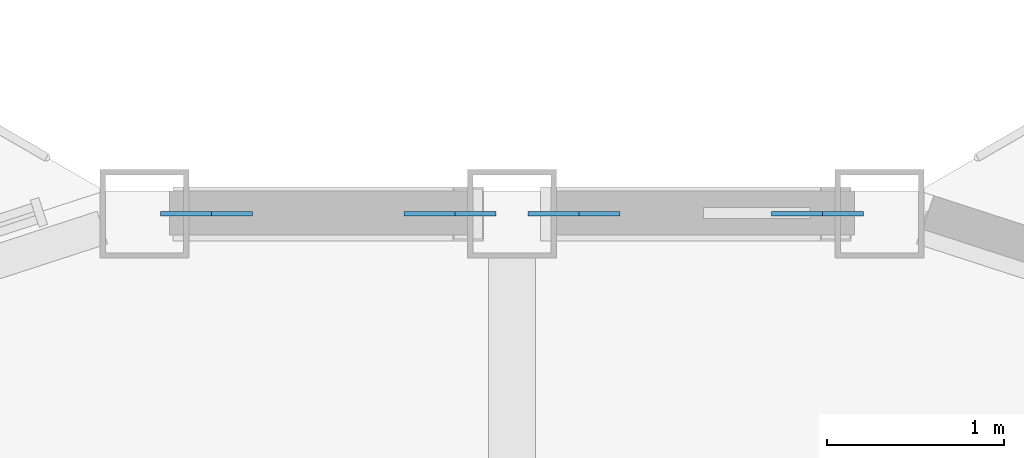
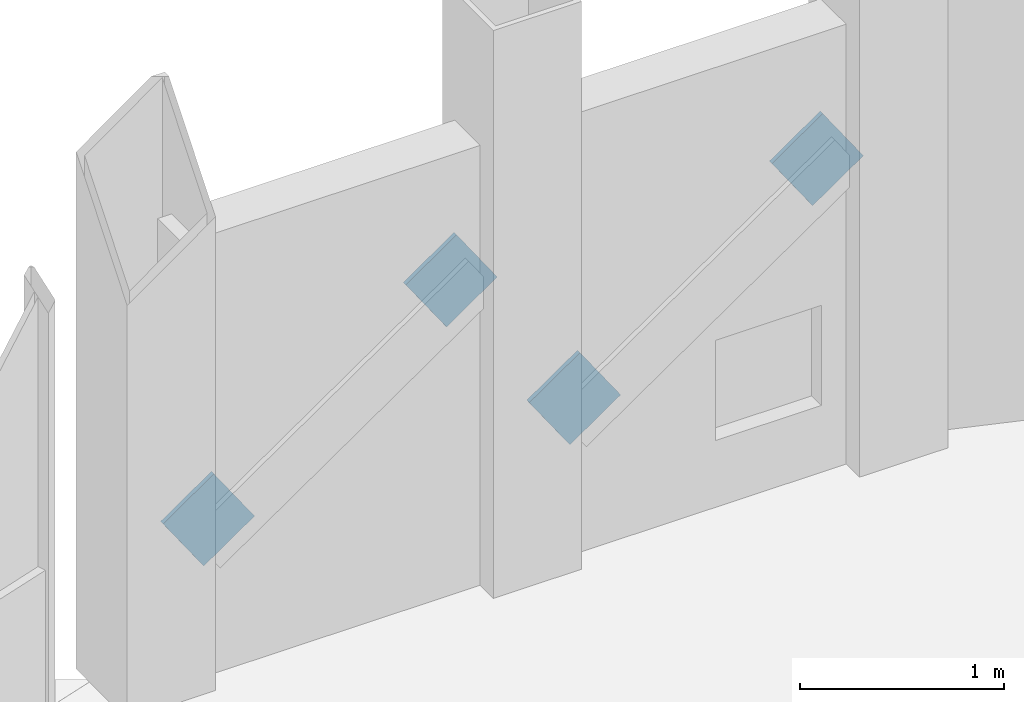
# One storey, part 20 of 25: 4 discrete accessories.
"""IFC4 building model written with IfcOpenShell, lengths in metres."""

from ifc_helpers import new_model, si_unit, direction, frame, origin, origin_2d, place, context, subcontext, project, spatial, rectangle, extrude, material, material_profile, profile_set, type_object, element, save


model = new_model("IFC4")

# Units and contexts
model_context = context("Model", 3, precision=1e-05, world=origin(), true_north=direction((0.0, 1.0)))
body_context = subcontext(model_context, "Body", "Model", "MODEL_VIEW")
ifc_project = project(units=[si_unit("LENGTHUNIT", "METRE"), si_unit("AREAUNIT", "SQUARE_METRE"), si_unit("VOLUMEUNIT", "CUBIC_METRE"), si_unit("PLANEANGLEUNIT", "RADIAN"), si_unit("MASSUNIT", "GRAM", prefix="KILO")], contexts=[model_context])

# Site, building, storey
site_placement = place(None, origin())
site = spatial("IfcSite", under=ifc_project, at=site_placement, CompositionType="ELEMENT")
building_placement = place(site_placement, origin())
building = spatial("IfcBuilding", under=site, at=building_placement, Name="Cormorant Prow Tower", CompositionType="ELEMENT")
storey_placement = place(building_placement, frame((0.0, 0.0, 395.0)))
storey = spatial("IfcBuildingStorey", under=building, at=storey_placement, Name="L90", CompositionType="ELEMENT", Elevation=395.0)

# Discrete accessories
ifc_material = material(Name="Structural steel ASTM A500 Gr C", Category="steel")
ifc_material_profile = material_profile(ifc_material, rectangle(XDim=0.02490234375, YDim=0.405029296875, at=origin_2d()), Name="Gusset plate 25x405")
ifc_profile_set = profile_set([ifc_material_profile], Name="Structural steel ASTM A500 Gr C")
discrete_accessory_type = type_object("IfcDiscreteAccessoryType", Name="Gusset plate 25x405", PredefinedType="BRACKET", material=ifc_profile_set)
for number, where, z_axis, x_axis, name in (
    (1, (0.493408203125, 31.219482421875, 0.941162109375), (-0.822593864641, 0.0, -0.568629346635), (0.0, -1.0, 0.0), "Gusset plate GP3 L90.N00.g0"),
    (2, (1.580322265625, 31.219482421875, 1.692626953125), (0.822593864641, 0.0, 0.568629346635), (0.0, 1.0, 0.0), "Gusset plate GP3 L90.N00.g1"),
    (3, (-1.580322265625, 31.219482421875, 0.941162109375), (-0.822593864641, 0.0, -0.568629346635), (0.0, -1.0, 0.0), "Gusset plate GP3 L90.N01.g0"),
    (4, (-0.493408203125, 31.219482421875, 1.692626953125), (0.822593864641, 0.0, 0.568629346635), (0.0, 1.0, 0.0), "Gusset plate GP3 L90.N01.g1"),
):
    element("IfcDiscreteAccessory", number, at=place(storey_placement, frame(where, z_axis=z_axis, x_axis=x_axis)), inside=storey, type_object=discrete_accessory_type, Name=name, PredefinedType="BRACKET", context=body_context, shape_type="SweptSolid", body=[
        extrude(rectangle(XDim=0.02490234375, YDim=0.405029296875, at=origin_2d()), origin(), (0.0, 0.0, 1.0), 0.349853515625),
    ])

save(model, "model.ifc")
